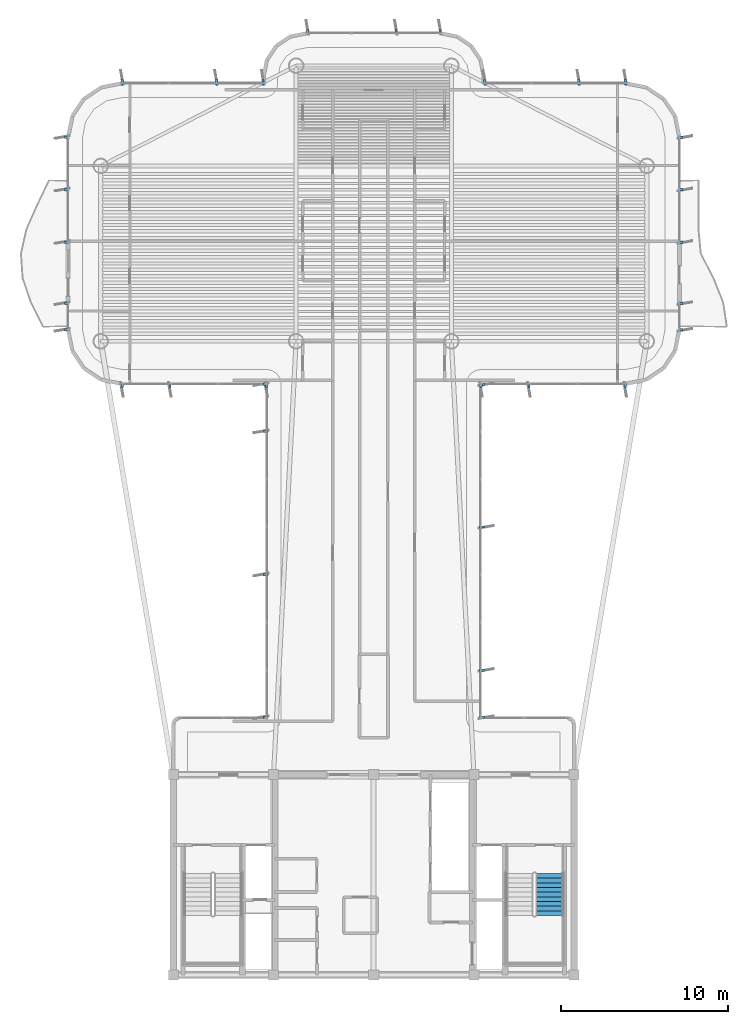
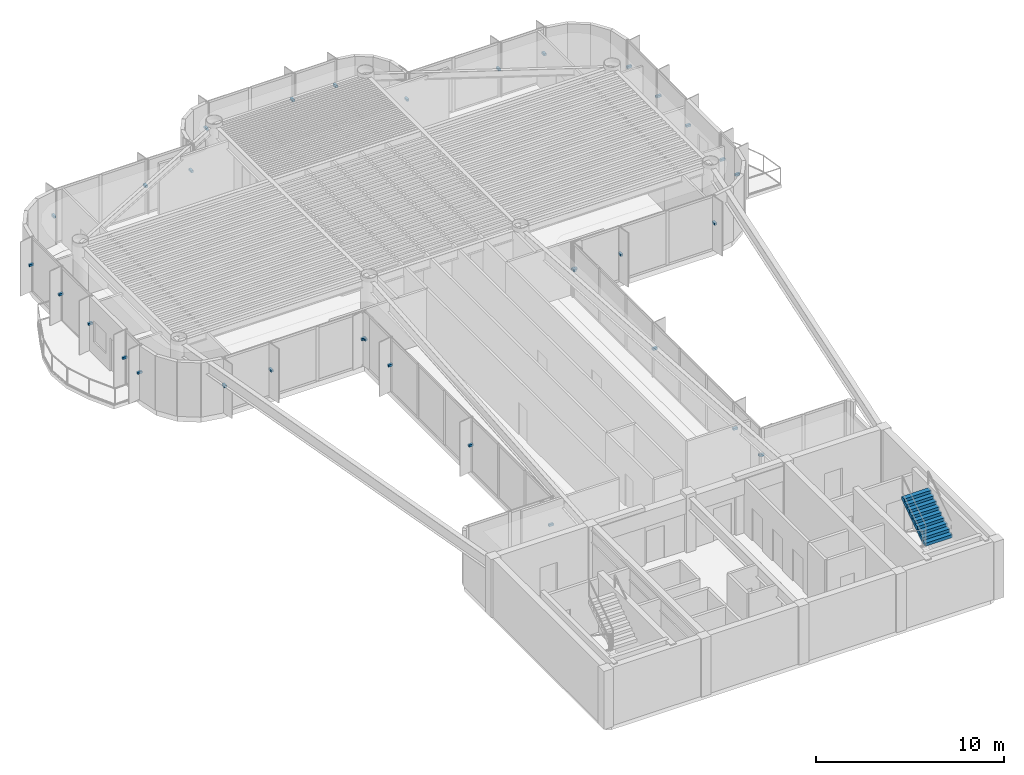
# One storey, part 14 of 16: 33 discrete accessories, 1 stair flight, 1 element without a shape of its own.
"""IFC4 building model written with IfcOpenShell, lengths in metres."""

from ifc_helpers import new_model, si_unit, direction, frame, origin, origin_2d, place, context, subcontext, project, spatial, polyline, rectangle, outline, extrude, source, transform, mapped, material, type_object, element, aggregate, save


model = new_model("IFC4")

# Units and contexts
model_context = context("Model", 3, precision=1e-05, world=origin(), true_north=direction((0.0, 1.0)))
body_context = subcontext(model_context, "Body", "Model", "MODEL_VIEW")
ifc_project = project(units=[si_unit("LENGTHUNIT", "METRE"), si_unit("AREAUNIT", "SQUARE_METRE"), si_unit("VOLUMEUNIT", "CUBIC_METRE"), si_unit("PLANEANGLEUNIT", "RADIAN"), si_unit("MASSUNIT", "GRAM", prefix="KILO")], contexts=[model_context])

# Site, building, storey
site_placement = place(None, origin())
site = spatial("IfcSite", under=ifc_project, at=site_placement, CompositionType="ELEMENT")
building_placement = place(site_placement, origin())
building = spatial("IfcBuilding", under=site, at=building_placement, Name="Brelvock Crest Care Tower", CompositionType="ELEMENT")
storey_placement = place(building_placement, frame((0.0, 0.0, 223.02001953125)))
storey = spatial("IfcBuildingStorey", under=building, at=storey_placement, Name="L56", CompositionType="ELEMENT", Elevation=223.02001953125)

# Stair, stair flight
ifc_material_1 = material(Name="Concrete N40 (40 MPa)", Category="concrete")
stair_type = type_object("IfcStairType", Name="ST-CORE1", PredefinedType="HALF_TURN_STAIR", material=ifc_material_1)
stair_placement = place(storey_placement, origin())
stair = element("IfcStair", 1, at=stair_placement, inside=storey, type_object=stair_type, Name="L56 Fire-Isolated Core Stair ST-2", PredefinedType="HALF_TURN_STAIR")
stair_flight_type = type_object("IfcStairFlightType", Name="STF-1", PredefinedType="STRAIGHT", material=ifc_material_1)
stair_flight_placement = place(storey_placement, frame((46.530029296875, 9.56005859375, 1.889892578125), z_axis=(0.0, 0.0, 1.0), x_axis=(0.0, 1.0, 0.0)))
stair_flight = element("IfcStairFlight", 2, at=stair_flight_placement, type_object=stair_flight_type, Name="ST-2 flight 2", NumberOfRisers=10, NumberOfTreads=9, PredefinedType="STRAIGHT", RiserHeight=0.189, TreadLength=0.28, context=body_context, shape_type="SweptSolid", body=[
    extrude(outline(polyline([(-0.00390625, -0.014892578125), (-0.00390625, -0.0078125), (-0.00390625, -0.00048828125), (-0.00390625, 0.0068359375), (-0.00390625, 0.01416015625), (-0.00390625, 0.021484375), (-0.00390625, 0.02880859375), (-0.00390625, 0.035888671875), (-0.00390625, 0.043212890625), (-0.00390625, 0.050537109375), (-0.00390625, 0.057861328125), (-0.00390625, 0.065185546875), (-0.00390625, 0.072509765625), (-0.00390625, 0.07958984375), (-0.00390625, 0.0869140625), (-0.00390625, 0.09423828125), (-0.00390625, 0.1015625), (-0.00390625, 0.10888671875), (-0.00390625, 0.1162109375), (-0.00390625, 0.12353515625), (-0.00390625, 0.130615234375), (-0.00390625, 0.137939453125), (-0.00390625, 0.145263671875), (-0.00390625, 0.152587890625), (-0.00390625, 0.159912109375), (-0.00390625, 0.167236328125), (-0.00390625, 0.17431640625), (-0.00390625, 0.181640625), (-0.00390625, 0.18896484375), (0.0, 0.18896484375), (0.280029296875, 0.18896484375), (0.280029296875, 0.3779296875), (0.56005859375, 0.3779296875), (0.56005859375, 0.56689453125), (0.840087890625, 0.56689453125), (0.840087890625, 0.756103515625), (1.1201171875, 0.756103515625), (1.1201171875, 0.945068359375), (1.39990234375, 0.945068359375), (1.39990234375, 1.134033203125), (1.679931640625, 1.134033203125), (1.679931640625, 1.322998046875), (1.9599609375, 1.322998046875), (1.9599609375, 1.511962890625), (2.239990234375, 1.511962890625), (2.239990234375, 1.700927734375), (2.52001953125, 1.700927734375), (2.52392578125, 1.700927734375), (2.523681640625, 1.70068359375), (2.52392578125, 1.700439453125), (2.523681640625, 1.699951171875), (2.52392578125, 1.69970703125), (2.523681640625, 1.699462890625), (2.52392578125, 1.698974609375), (2.523681640625, 1.69873046875), (2.52392578125, 1.698486328125), (2.523681640625, 1.697998046875), (2.52392578125, 1.69775390625), (2.523681640625, 1.697509765625), (2.52392578125, 1.697021484375), (2.523681640625, 1.69677734375), (2.52392578125, 1.696533203125), (2.523681640625, 1.6962890625), (2.52392578125, 1.69580078125), (2.523681640625, 1.695556640625), (2.52392578125, 1.6953125), (2.523681640625, 1.69482421875), (2.52392578125, 1.694580078125), (2.523681640625, 1.6943359375), (2.52392578125, 1.69384765625), (2.523681640625, 1.693603515625), (2.52392578125, 1.693359375), (2.523681640625, 1.69287109375), (2.52392578125, 1.692626953125), (2.523681640625, 1.6923828125), (2.52392578125, 1.69189453125), (2.52001953125, 1.520263671875), (0.267822265625, 0.0), (0.0, 0.0), (0.0, -0.014892578125), (-0.00390625, -0.014892578125)])), frame((0.0, 0.83984375, 0.0), z_axis=(0.0, -1.0, 0.0), x_axis=(1.0, 0.0, 0.0)), (0.0, 0.0, 1.0), 1.679931640625),
])
aggregate(stair, [stair_flight])

# Discrete accessories
ifc_material_2 = material(Name="Steel Grade 350", Category="steel")
discrete_accessory_type = type_object("IfcDiscreteAccessoryType", Name="ACC-BRK1", PredefinedType="BRACKET", material=ifc_material_2)
shared_shape = source(origin(), body_context, "Body", "SweptSolid", [
    extrude(rectangle(XDim=0.280029296875, YDim=0.139892578125, at=origin_2d()), origin(), (0.0, 0.0, 1.0), 0.139892578125),
])
for number, where, z_axis, x_axis, name in (
    (3, (29.52001953125, 21.429931640625, 1.69482421875), (0.0, 0.0, 1.0), (-1.0, 0.0, 0.0), "L56 Facade Fin Bracket E11-01"),
    (4, (29.52001953125, 29.971435546875, 1.69482421875), (0.0, 0.0, 1.0), (-1.0, 0.0, 0.0), "L56 Facade Fin Bracket E11-04"),
    (5, (29.52001953125, 38.54296875, 1.69482421875), (0.0, 0.0, 1.0), (-1.0, 0.0, 0.0), "L56 Facade Fin Bracket E11-07"),
    (6, (29.52001953125, 41.3701171875, 1.69482421875), (0.0, 0.0, 1.0), (-1.0, 0.0, 0.0), "L56 Facade Fin Bracket E11-08"),
    (7, (29.570068359375, 41.320068359375, 1.69482421875), (0.0, 0.0, 1.0), (0.0, -1.0, 0.0), "L56 Facade Fin Bracket E12-01"),
    (8, (23.800048828125, 41.320068359375, 1.69482421875), (0.0, 0.0, 1.0), (0.0, -1.0, 0.0), "L56 Facade Fin Bracket E12-03"),
    (9, (20.929931640625, 41.320068359375, 1.69482421875), (0.0, 0.0, 1.0), (0.0, -1.0, 0.0), "L56 Facade Fin Bracket E12-04"),
    (10, (17.6201171875, 44.6298828125, 1.69482421875), (0.0, 0.0, 1.0), (-1.0, 0.0, 0.0), "L56 Facade Fin Bracket E17A-01"),
    (11, (17.6201171875, 46.219970703125, 1.69482421875), (0.0, 0.0, 1.0), (-1.0, 0.0, 0.0), "L56 Facade Fin Bracket E17A-02"),
    (12, (17.6201171875, 49.8798828125, 1.69482421875), (0.0, 0.0, 1.0), (-1.0, 0.0, 0.0), "L56 Facade Fin Bracket E17B-01"),
    (13, (17.6201171875, 53.02490234375, 1.69482421875), (0.0, 0.0, 1.0), (-1.0, 0.0, 0.0), "L56 Facade Fin Bracket E17B-02"),
    (14, (17.6201171875, 56.169921875, 1.69482421875), (0.0, 0.0, 1.0), (-1.0, 0.0, 0.0), "L56 Facade Fin Bracket E17B-03"),
    (15, (20.929931640625, 59.47998046875, 1.69482421875), (0.0, 0.0, 1.0), (0.0, 1.0, 0.0), "L56 Facade Fin Bracket E22-01"),
    (16, (26.566650390625, 59.47998046875, 1.69482421875), (0.0, 0.0, 1.0), (0.0, 1.0, 0.0), "L56 Facade Fin Bracket E22-03"),
    (17, (29.3701171875, 59.47998046875, 1.69482421875), (0.0, 0.0, 1.0), (0.0, 1.0, 0.0), "L56 Facade Fin Bracket E22-04"),
    (18, (32.030029296875, 62.47998046875, 1.69482421875), (0.0, 0.0, 1.0), (0.0, 1.0, 0.0), "L56 Facade Fin Bracket E28-01"),
    (19, (37.333251953125, 62.47998046875, 1.69482421875), (0.0, 0.0, 1.0), (0.0, 1.0, 0.0), "L56 Facade Fin Bracket E28-03"),
    (20, (39.969970703125, 62.47998046875, 1.69482421875), (0.0, 0.0, 1.0), (0.0, 1.0, 0.0), "L56 Facade Fin Bracket E28-04"),
    (21, (42.6298828125, 59.47998046875, 1.69482421875), (0.0, 0.0, 1.0), (0.0, 1.0, 0.0), "L56 Facade Fin Bracket E34-01"),
    (22, (48.2666015625, 59.47998046875, 1.69482421875), (0.0, 0.0, 1.0), (0.0, 1.0, 0.0), "L56 Facade Fin Bracket E34-03"),
    (23, (51.070068359375, 59.47998046875, 1.69482421875), (0.0, 0.0, 1.0), (0.0, 1.0, 0.0), "L56 Facade Fin Bracket E34-04"),
    (24, (54.3798828125, 56.169921875, 1.69482421875), (0.0, 0.0, 1.0), (1.0, 0.0, 0.0), "L56 Facade Fin Bracket E39A-01"),
    (25, (54.3798828125, 53.02490234375, 1.69482421875), (0.0, 0.0, 1.0), (1.0, 0.0, 0.0), "L56 Facade Fin Bracket E39A-02"),
    (26, (54.3798828125, 49.8798828125, 1.69482421875), (0.0, 0.0, 1.0), (1.0, 0.0, 0.0), "L56 Facade Fin Bracket E39A-03"),
    (27, (54.3798828125, 46.219970703125, 1.69482421875), (0.0, 0.0, 1.0), (1.0, 0.0, 0.0), "L56 Facade Fin Bracket E39B-01"),
    (28, (54.3798828125, 44.6298828125, 1.69482421875), (0.0, 0.0, 1.0), (1.0, 0.0, 0.0), "L56 Facade Fin Bracket E39B-02"),
    (29, (51.070068359375, 41.320068359375, 1.69482421875), (0.0, 0.0, 1.0), (0.0, -1.0, 0.0), "L56 Facade Fin Bracket E44-01"),
    (30, (45.300048828125, 41.320068359375, 1.69482421875), (0.0, 0.0, 1.0), (0.0, -1.0, 0.0), "L56 Facade Fin Bracket E44-03"),
    (31, (42.429931640625, 41.320068359375, 1.69482421875), (0.0, 0.0, 1.0), (0.0, -1.0, 0.0), "L56 Facade Fin Bracket E44-04"),
    (32, (42.47998046875, 41.3701171875, 1.69482421875), (0.0, 0.0, 1.0), (1.0, 0.0, 0.0), "L56 Facade Fin Bracket E45-01"),
    (33, (42.47998046875, 32.82861328125, 1.69482421875), (0.0, 0.0, 1.0), (1.0, 0.0, 0.0), "L56 Facade Fin Bracket E45-04"),
    (34, (42.47998046875, 24.257080078125, 1.69482421875), (0.0, 0.0, 1.0), (1.0, 0.0, 0.0), "L56 Facade Fin Bracket E45-07"),
    (35, (42.47998046875, 21.429931640625, 1.69482421875), (0.0, 0.0, 1.0), (1.0, 0.0, 0.0), "L56 Facade Fin Bracket E45-08"),
):
    element("IfcDiscreteAccessory", number, at=place(storey_placement, frame(where, z_axis=z_axis, x_axis=x_axis)), inside=storey, type_object=discrete_accessory_type, Name=name, PredefinedType="BRACKET", context=body_context, shape_type="MappedRepresentation", body=[
        mapped(shared_shape, transform((0.0, 0.0, 0.0), x_axis=(1.0, 0.0, 0.0), y_axis=(0.0, 1.0, 0.0), z_axis=(0.0, 0.0, 1.0), scale=1.0)),
    ])

save(model, "model.ifc")
